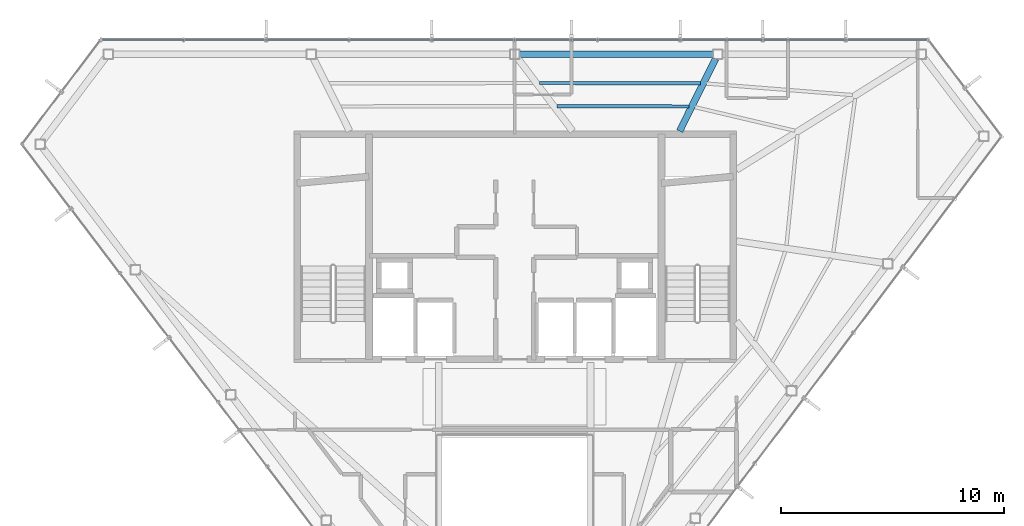
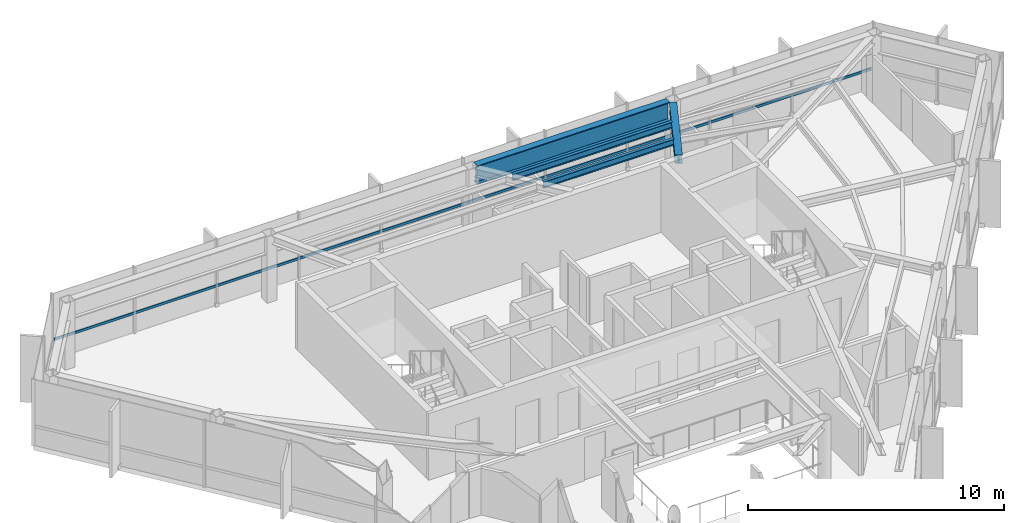
# One storey, part 13 of 23: 4 beams, 1 member, 1 element without a shape of its own.
"""IFC4 building model written with IfcOpenShell, lengths in metres."""

import ifcopenshell
import ifcopenshell.guid

model = None  # the IFC model being written
_history = None  # IfcOwnerHistory: only IFC2X3 demands one
_inside = {}  # id of a spatial element -> (the spatial element, [elements in it])
_under = {}  # id of a project, library or spatial element -> (it, [spatial elements below it])
_declared = {}  # id of a project -> (the project, [libraries it declares])
_typed = {}  # id of a type object -> (the type object, [elements of that type])
_made_of = {}  # id of a material, layer set ... -> (it, [elements and type objects made of it])


def new_model(schema):
    """Start an empty IFC model of exactly this schema.

    Asked for "IFC4X3", IfcOpenShell would pick the latest addendum, in which some entities
    have other attributes; the version numbers below select the first issue.
    IFC2X3 requires an IfcOwnerHistory on every rooted entity: one is made here for all.
    """
    global model, _history
    if schema == "IFC4X3":
        model = ifcopenshell.file(schema_version=(4, 3, 0, 0))
    else:
        model = ifcopenshell.file(schema=schema)
    _inside.clear()
    _under.clear()
    _declared.clear()
    _typed.clear()
    _made_of.clear()
    _history = None
    if model.schema == "IFC2X3":
        org = make("IfcOrganization", Name="unknown")
        user = make(
            "IfcPersonAndOrganization",
            ThePerson=make("IfcPerson", FamilyName="unknown"),
            TheOrganization=org,
        )
        app = make(
            "IfcApplication",
            ApplicationDeveloper=org,
            Version="unknown",
            ApplicationFullName="unknown",
            ApplicationIdentifier="unknown",
        )
        _history = make(
            "IfcOwnerHistory",
            OwningUser=user,
            OwningApplication=app,
            ChangeAction="ADDED",
            CreationDate=0,
        )
    return model


def make(cls, **values):
    """One entity of the class cls with the attributes given. An attribute that is None is left unset."""
    return model.create_entity(
        cls, **{name: value for name, value in values.items() if value is not None}
    )


def rooted(cls, **values):
    """An entity with a GlobalId (a new one), such as an element, a storey or a relation."""
    return make(cls, GlobalId=ifcopenshell.guid.new(), OwnerHistory=_history, **values)


def si_unit(unit_type, name, prefix=None):
    """IfcSIUnit, for example si_unit("LENGTHUNIT", "METRE", prefix="MILLI")."""
    return make("IfcSIUnit", UnitType=unit_type, Prefix=prefix, Name=name)


def assignment(units):
    """IfcUnitAssignment: the units of a project."""
    return None if units is None else make("IfcUnitAssignment", Units=units)


def point(xyz):
    """IfcCartesianPoint."""
    return None if xyz is None else make("IfcCartesianPoint", Coordinates=xyz)


def direction(xyz):
    """IfcDirection."""
    return None if xyz is None else make("IfcDirection", DirectionRatios=xyz)


def frame(location, z_axis=None, x_axis=None):
    """IfcAxis2Placement3D, a coordinate frame: its origin and axes. An axis left out is left unset."""
    return make(
        "IfcAxis2Placement3D",
        Location=point(location),
        Axis=direction(z_axis),
        RefDirection=direction(x_axis),
    )


def frame_2d(location, x_axis=None):
    """IfcAxis2Placement2D, a coordinate frame in the plane: its origin and x axis."""
    return make(
        "IfcAxis2Placement2D", Location=point(location), RefDirection=direction(x_axis)
    )


def origin():
    """The frame at (0, 0, 0) with its axes left unset."""
    return frame((0.0, 0.0, 0.0))


def origin_2d():
    """The frame at (0, 0) in the plane with its x axis left unset."""
    return frame_2d((0.0, 0.0))


def place(relative_to, where):
    """IfcLocalPlacement: puts the frame where relative to a parent placement (None: the world)."""
    return make(
        "IfcLocalPlacement", PlacementRelTo=relative_to, RelativePlacement=where
    )


def context(
    kind, dimensions, precision=None, world=None, true_north=None, identifier=None
):
    """IfcGeometricRepresentationContext, for example the 3D "Model" context."""
    return make(
        "IfcGeometricRepresentationContext",
        ContextIdentifier=identifier,
        ContextType=kind,
        CoordinateSpaceDimension=dimensions,
        Precision=precision,
        WorldCoordinateSystem=world,
        TrueNorth=true_north,
    )


def subcontext(parent, identifier, kind, view, scale=None):
    """IfcGeometricRepresentationSubContext, for example "Body" below "Model"."""
    return make(
        "IfcGeometricRepresentationSubContext",
        ContextIdentifier=identifier,
        ContextType=kind,
        ParentContext=parent,
        TargetScale=scale,
        TargetView=view,
    )


def project(units=None, contexts=None):
    """IfcProject with its units and contexts."""
    return rooted(
        "IfcProject",
        Name="project",
        RepresentationContexts=contexts,
        UnitsInContext=assignment(units),
    )


def spatial(cls, under=None, at=None, **own):
    """A site, building, storey or space (cls), placed at a placement, below another one or the project."""
    s = rooted(cls, ObjectPlacement=at, **own)
    if under is not None:
        _under.setdefault(under.id(), (under, []))[1].append(s)
    return s


def profile(cls, at=None, kind="AREA", **sizes):
    """A parametric profile (cls). Its sizes go by their IFC names, for example OverallWidth=200.0."""
    return make(cls, ProfileType=kind, Position=at, **sizes)


def hollow_rectangle(**sizes):
    """IfcRectangleHollowProfileDef."""
    return profile("IfcRectangleHollowProfileDef", **sizes)


def i_section(**sizes):
    """IfcIShapeProfileDef."""
    return profile("IfcIShapeProfileDef", **sizes)


def extrude(swept, where, along, depth):
    """IfcExtrudedAreaSolid: the profile swept, set in the frame where, extruded along a direction by depth."""
    return make(
        "IfcExtrudedAreaSolid",
        SweptArea=swept,
        Position=where,
        ExtrudedDirection=direction(along),
        Depth=depth,
    )


def shape(context_of_items, identifier, shape_type, items):
    """IfcShapeRepresentation: the items that make up one representation, for example the "Body"."""
    return make(
        "IfcShapeRepresentation",
        ContextOfItems=context_of_items,
        RepresentationIdentifier=identifier,
        RepresentationType=shape_type,
        Items=items,
    )


def material(Name=None, Category=None):
    """IfcMaterial."""
    return make("IfcMaterial", Name=Name, Category=Category)


def layer(
    of_material, thickness, ventilated=None, Name=None, Category=None, Priority=None
):
    """IfcMaterialLayer: one layer of a wall or slab, of a material (None: an air gap)."""
    return make(
        "IfcMaterialLayer",
        Material=of_material,
        LayerThickness=thickness,
        IsVentilated=ventilated,
        Name=Name,
        Category=Category,
        Priority=Priority,
    )


def layer_set(layers, Name=None):
    """IfcMaterialLayerSet."""
    return make("IfcMaterialLayerSet", MaterialLayers=layers, LayerSetName=Name)


def material_profile(
    of_material, cross_section, Name=None, Category=None, Priority=None
):
    """IfcMaterialProfile: a cross section and its material."""
    return make(
        "IfcMaterialProfile",
        Name=Name,
        Material=of_material,
        Profile=cross_section,
        Priority=Priority,
        Category=Category,
    )


def profile_set(profiles, Name=None, composite=None):
    """IfcMaterialProfileSet."""
    return make(
        "IfcMaterialProfileSet",
        Name=Name,
        MaterialProfiles=profiles,
        CompositeProfile=composite,
    )


def made_of(thing, what):
    """Note that an element or type object is made of a material, layer set ...; save() writes the relation."""
    if what is not None:
        _made_of.setdefault(what.id(), (what, []))[1].append(thing)
    return thing


def type_object(cls, material=None, **own):
    """A type object (cls), such as IfcWallType, which elements share."""
    return made_of(rooted(cls, **own), material)


def element(
    cls,
    number,
    at=None,
    inside=None,
    cuts=None,
    type_object=None,
    material=None,
    context=None,
    identifier="Body",
    shape_type=None,
    held_by="IfcProductDefinitionShape",
    body=None,
    shapes=None,
    **own,
):
    """One element of the class cls, such as IfcWall. Its Tag is "e" and its number.

    at: its placement. inside: the storey or other place that contains it. cuts: it is an
    opening in that element (IfcRelVoidsElement). A single representation is given by context,
    identifier, shape_type and body (its items); several are given by shapes. held_by: the class
    of the entity that holds the representations. save() writes the other relations.
    """
    e = rooted(cls, Tag="e%d" % number, ObjectPlacement=at, **own)
    if body is not None:
        shapes = [shape(context, identifier, shape_type, body)]
    if shapes is not None:
        e.Representation = make(held_by, Representations=shapes)
    if inside is not None:
        _inside.setdefault(inside.id(), (inside, []))[1].append(e)
    if cuts is not None:
        rooted(
            "IfcRelVoidsElement", RelatingBuildingElement=cuts, RelatedOpeningElement=e
        )
    if type_object is not None:
        _typed.setdefault(type_object.id(), (type_object, []))[1].append(e)
    return made_of(e, material)


def aggregate(whole, parts):
    """IfcRelAggregates: a whole, such as a stair, and the parts it consists of."""
    return rooted("IfcRelAggregates", RelatingObject=whole, RelatedObjects=parts)


def save(model, path):
    """Write the relations noted so far, then the file.

    IfcRelAggregates (storeys below a building ...), IfcRelContainedInSpatialStructure (elements
    in a storey), IfcRelDefinesByType, IfcRelAssociatesMaterial and IfcRelDeclares: one each for
    every whole, place, type object, material and project.
    """
    for whole, parts in _under.values():
        aggregate(whole, parts)
    for where, things in _inside.values():
        rooted(
            "IfcRelContainedInSpatialStructure",
            RelatedElements=things,
            RelatingStructure=where,
        )
    for kind, things in _typed.values():
        rooted("IfcRelDefinesByType", RelatedObjects=things, RelatingType=kind)
    for what, things in _made_of.values():
        rooted("IfcRelAssociatesMaterial", RelatedObjects=things, RelatingMaterial=what)
    for by, libraries in _declared.values():
        rooted("IfcRelDeclares", RelatingContext=by, RelatedDefinitions=libraries)
    model.write(path)


model = new_model("IFC4")

# Units and contexts
model_context = context("Model", 3, precision=1e-05, world=origin(), true_north=direction((0.0, 1.0)))
body_context = subcontext(model_context, "Body", "Model", "MODEL_VIEW")
ifc_project = project(units=[si_unit("LENGTHUNIT", "METRE"), si_unit("AREAUNIT", "SQUARE_METRE"), si_unit("VOLUMEUNIT", "CUBIC_METRE"), si_unit("PLANEANGLEUNIT", "RADIAN"), si_unit("MASSUNIT", "GRAM", prefix="KILO")], contexts=[model_context])

# Site, building, storey
site_placement = place(None, origin())
site = spatial("IfcSite", under=ifc_project, at=site_placement, CompositionType="ELEMENT")
building_placement = place(site_placement, origin())
building = spatial("IfcBuilding", under=site, at=building_placement, Name="Zarrinselat Tower", CompositionType="ELEMENT")
storey_placement = place(building_placement, frame((0.0, 0.0, 282.199951171875)))
storey = spatial("IfcBuildingStorey", under=building, at=storey_placement, Name="L72", CompositionType="ELEMENT", Elevation=282.199951171875)

# Beams
ifc_material_1 = material(Name="Steel S355J2", Category="steel")
ifc_material_profile_1 = material_profile(ifc_material_1, i_section(OverallWidth=0.300048828125, OverallDepth=0.39990234375, WebThickness=0.013427734375, FlangeThickness=0.02392578125, at=origin_2d()), Name="HEB 400")
ifc_profile_set_1 = profile_set([ifc_material_profile_1], Name="Steel S355J2")
beam_type_1 = type_object("IfcBeamType", Name="BM-HEB400", PredefinedType="BEAM", material=ifc_profile_set_1)
beam_1_placement = place(storey_placement, frame((45.800048828125, 43.5400390625, 2.97998046875), z_axis=(0.446161273483, 0.894952578657, 0.0), x_axis=(-0.894952578657, 0.446161273483, 0.0)))
element("IfcBeam", 1, at=beam_1_placement, inside=storey, type_object=beam_type_1, Name="L72 Radial Primary Girder RG02", PredefinedType="BEAM", context=body_context, shape_type="SweptSolid", body=[
    extrude(i_section(OverallWidth=0.300048828125, OverallDepth=0.39990234375, WebThickness=0.013427734375, FlangeThickness=0.02392578125, at=origin_2d()), origin(), (0.0, 0.0, 1.0), 3.620361328125),
])
ifc_material_2 = material(Name="Steel S460M", Category="steel")
ifc_material_profile_2 = material_profile(ifc_material_2, i_section(OverallWidth=0.302001953125, OverallDepth=0.909912109375, WebThickness=0.02099609375, FlangeThickness=0.0400390625, at=origin_2d()), Name="HEM 900")
ifc_profile_set_2 = profile_set([ifc_material_profile_2], Name="Steel S460M")
beam_type_2 = type_object("IfcBeamType", Name="BM-HEM900", PredefinedType="BEAM", material=ifc_profile_set_2)
beam_2_placement = place(storey_placement, frame((38.613037109375, 46.9833984375, 2.72509765625), z_axis=(1.0, 0.0, 0.0), x_axis=(0.0, 1.0, 0.0)))
element("IfcBeam", 2, at=beam_2_placement, inside=storey, type_object=beam_type_2, Name="L72 Perimeter Spandrel Girder SP02", PredefinedType="BEAM", context=body_context, shape_type="SweptSolid", body=[
    extrude(i_section(OverallWidth=0.302001953125, OverallDepth=0.909912109375, WebThickness=0.02099609375, FlangeThickness=0.0400390625, at=origin_2d()), origin(), (0.0, 0.0, 1.0), 8.690673828125),
])
ifc_material_3 = material(Name="Steel S355J2", Category="steel")
ifc_material_profile_3 = material_profile(ifc_material_3, i_section(OverallWidth=0.14990234375, OverallDepth=0.300048828125, WebThickness=0.007080078125, FlangeThickness=0.0107421875, at=origin_2d()), Name="IPE 300")
ifc_profile_set_3 = profile_set([ifc_material_profile_3], Name="Steel S355J2")
beam_type_3 = type_object("IfcBeamType", Name="BM-IPE300", PredefinedType="JOIST", material=ifc_profile_set_3)
beam_3_placement = place(storey_placement, frame((39.514404296875, 45.692626953125, 3.030029296875), z_axis=(0.999998138352, -0.001929583408, 0.0), x_axis=(0.001929583408, 0.999998138352, 0.0)))
element("IfcBeam", 3, at=beam_3_placement, inside=storey, type_object=beam_type_3, Name="L72 Composite Floor Joist 7-1", PredefinedType="JOIST", context=body_context, shape_type="SweptSolid", body=[
    extrude(i_section(OverallWidth=0.14990234375, OverallDepth=0.300048828125, WebThickness=0.007080078125, FlangeThickness=0.0107421875, at=origin_2d()), origin(), (0.0, 0.0, 1.0), 7.2119140625),
])
beam_4_placement = place(storey_placement, frame((40.302490234375, 44.64892578125, 3.030029296875), z_axis=(0.999999281627, -0.001198643431, 0.0), x_axis=(0.001198643431, 0.999999281627, 0.0)))
element("IfcBeam", 4, at=beam_4_placement, inside=storey, type_object=beam_type_3, Name="L72 Composite Floor Joist 7-2", PredefinedType="JOIST", context=body_context, shape_type="SweptSolid", body=[
    extrude(i_section(OverallWidth=0.14990234375, OverallDepth=0.300048828125, WebThickness=0.007080078125, FlangeThickness=0.0107421875, at=origin_2d()), origin(), (0.0, 0.0, 1.0), 5.90673828125),
])

# Curtain wall, member
ifc_material_4 = material(Name="Extruded Aluminium Alloy EN AW-6063 T6", Category="aluminium")
ifc_layer = layer(ifc_material_4, 0.169921875)
ifc_layer_set = layer_set([ifc_layer], Name="Extruded Aluminium Alloy EN AW-6063 T6")
curtain_wall_type = type_object("IfcCurtainWallType", Name="CWS-RES", PredefinedType="NOTDEFINED", material=ifc_layer_set)
curtain_wall_placement = place(storey_placement, origin())
curtain_wall = element("IfcCurtainWall", 5, at=curtain_wall_placement, inside=storey, type_object=curtain_wall_type, Name="L72 Unitised Curtain Wall CW-L72-E01", PredefinedType="NOTDEFINED")
ifc_material_5 = material(Name="Extruded Aluminium Alloy EN AW-6063 T6", Category="aluminium")
ifc_material_profile_4 = material_profile(ifc_material_5, hollow_rectangle(XDim=0.06005859375, YDim=0.1201171875, WallThickness=0.00390625, at=origin_2d()), Name="RHS 120x60x4")
ifc_profile_set_4 = profile_set([ifc_material_profile_4], Name="Extruded Aluminium Alloy EN AW-6063 T6")
member_type = type_object("IfcMemberType", Name="MEM-CW-TRN2", PredefinedType="USERDEFINED", material=ifc_profile_set_4)
member_placement = place(storey_placement, frame((56.865478515625, 47.63330078125, 0.949951171875), z_axis=(-1.0, 0.0, 0.0), x_axis=(0.0, -1.0, 0.0)))
member = element("IfcMember", 6, at=member_placement, type_object=member_type, Name="CW-L72-E01 Transom 1", ObjectType="TRANSOM", PredefinedType="USERDEFINED", context=body_context, shape_type="SweptSolid", body=[
    extrude(hollow_rectangle(XDim=0.06005859375, YDim=0.1201171875, WallThickness=0.00390625, at=origin_2d()), origin(), (0.0, 0.0, 1.0), 36.932373046875),
])
aggregate(curtain_wall, [member])

save(model, "model.ifc")
